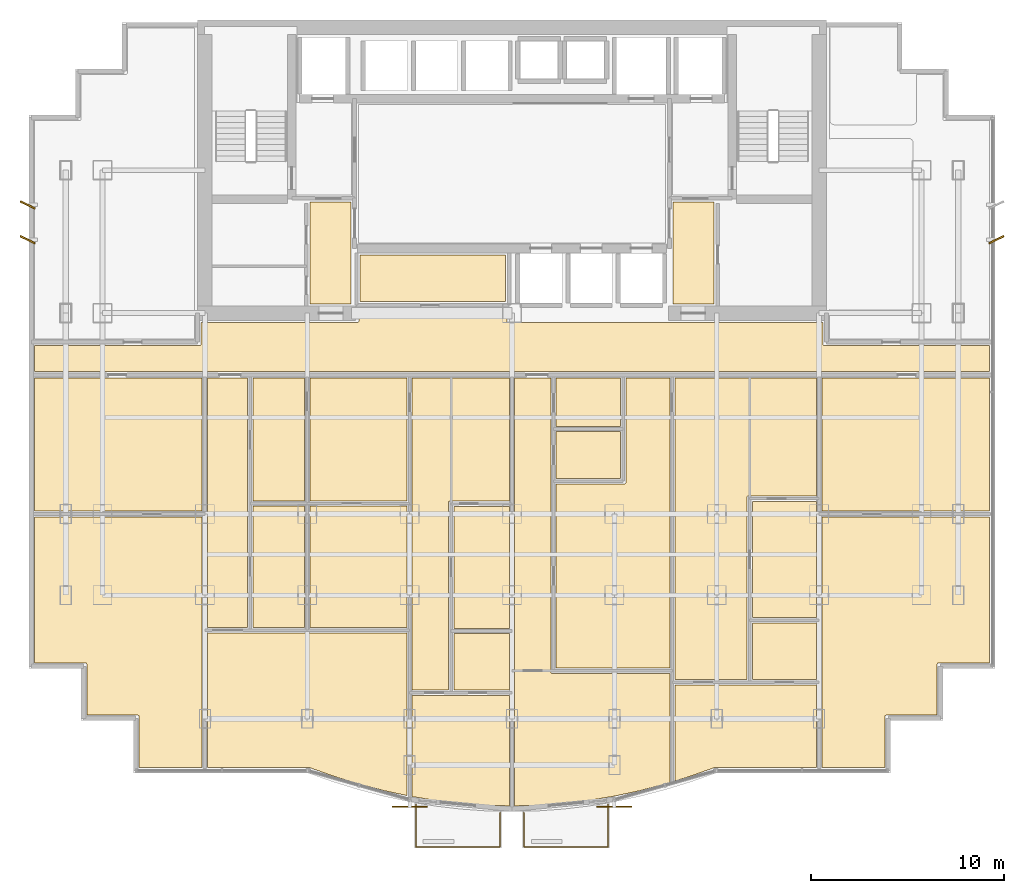
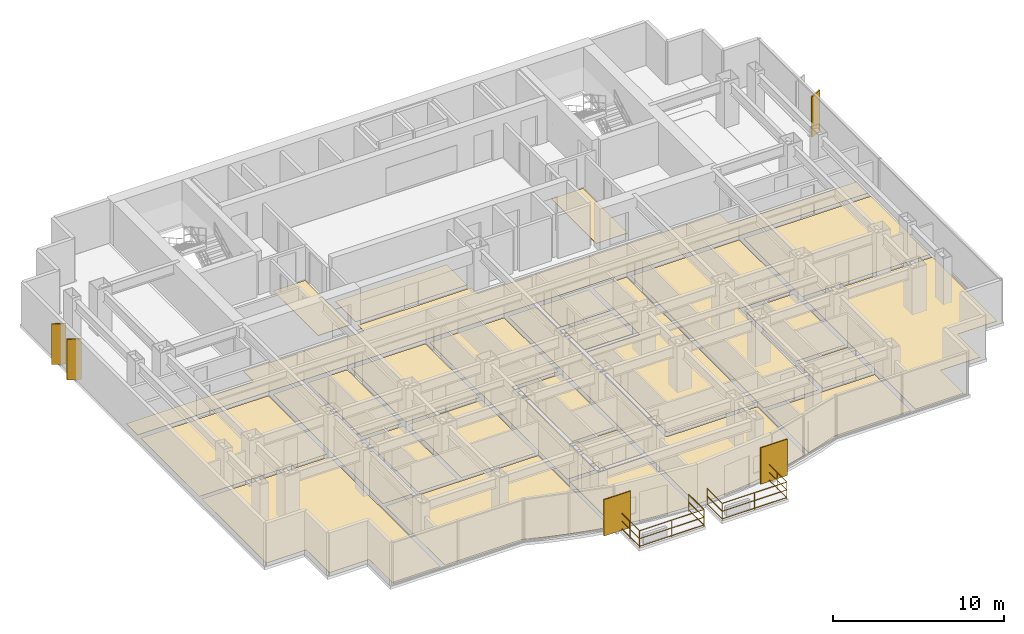
# One storey, part 11 of 12: 26 coverings, 5 shading devices, 2 railings.
"""IFC4 building model written with IfcOpenShell, lengths in metres."""

from ifc_helpers import new_model, si_unit, direction, frame, origin, origin_2d, place, context, subcontext, project, spatial, polyline, rectangle, circle, outline, extrude, source, transform, mapped, material, layer, layer_set, type_object, element, save


model = new_model("IFC4")

# Units and contexts
model_context = context("Model", 3, precision=1e-05, world=origin(), true_north=direction((0.0, 1.0)))
body_context = subcontext(model_context, "Body", "Model", "MODEL_VIEW")
ifc_project = project(units=[si_unit("LENGTHUNIT", "METRE"), si_unit("AREAUNIT", "SQUARE_METRE"), si_unit("VOLUMEUNIT", "CUBIC_METRE"), si_unit("PLANEANGLEUNIT", "RADIAN"), si_unit("MASSUNIT", "GRAM", prefix="KILO")], contexts=[model_context])

# Site, building, storey
site_placement = place(None, origin())
site = spatial("IfcSite", under=ifc_project, at=site_placement, CompositionType="ELEMENT")
building_placement = place(site_placement, origin())
building = spatial("IfcBuilding", under=site, at=building_placement, Name="Qianlan Lanfeng Residences", CompositionType="ELEMENT")
storey_placement = place(building_placement, frame((0.0, 0.0, 101.5)))
storey = spatial("IfcBuildingStorey", under=building, at=storey_placement, Name="L27", CompositionType="ELEMENT", Elevation=101.5)

# Coverings
ifc_material_1 = material(Name="Honed Taitung Granite Stone Flooring", Category="masonry")
ifc_layer_1 = layer(ifc_material_1, 0.030029296875)
ifc_layer_set_1 = layer_set([ifc_layer_1], Name="Honed Taitung Granite Stone Flooring")
covering_type_1 = type_object("IfcCoveringType", Name="FLR-STN-30", PredefinedType="FLOORING", material=ifc_layer_set_1)
covering_1_placement = place(storey_placement, origin())
element("IfcCovering", 1, at=covering_1_placement, inside=storey, type_object=covering_type_1, Name="L27 Residential Corridor Floor Finish", PredefinedType="FLOORING", context=body_context, shape_type="SweptSolid", body=[
    extrude(outline(polyline([(1.7900390625, 22.179931640625), (51.2099609375, 22.179931640625), (51.2099609375, 23.52001953125), (42.6650390625, 23.52001953125), (42.657958984375, 23.52001953125), (42.65087890625, 23.52099609375), (42.64501953125, 23.52294921875), (42.637939453125, 23.52490234375), (42.632080078125, 23.528076171875), (42.6259765625, 23.531982421875), (42.62109375, 23.535888671875), (42.615966796875, 23.541015625), (42.611083984375, 23.5458984375), (42.60693359375, 23.551025390625), (42.60302734375, 23.556884765625), (42.60009765625, 23.56298828125), (42.597900390625, 23.570068359375), (42.595947265625, 23.575927734375), (42.594970703125, 23.5830078125), (42.594970703125, 23.590087890625), (42.594970703125, 24.72509765625), (26.300048828125, 24.72509765625), (26.29296875, 24.72509765625), (26.285888671875, 24.72607421875), (26.280029296875, 24.72802734375), (26.27294921875, 24.72998046875), (26.26708984375, 24.73291015625), (26.260986328125, 24.737060546875), (26.256103515625, 24.740966796875), (26.2509765625, 24.74609375), (26.24609375, 24.7509765625), (26.241943359375, 24.756103515625), (26.238037109375, 24.761962890625), (26.235107421875, 24.76806640625), (26.23291015625, 24.77490234375), (26.23095703125, 24.781005859375), (26.22998046875, 24.7880859375), (26.22998046875, 24.794921875), (26.22998046875, 25.429931640625), (18.570068359375, 25.429931640625), (18.570068359375, 24.794921875), (18.570068359375, 24.7880859375), (18.569091796875, 24.781005859375), (18.56689453125, 24.77490234375), (18.56494140625, 24.76806640625), (18.56201171875, 24.761962890625), (18.55810546875, 24.756103515625), (18.553955078125, 24.7509765625), (18.549072265625, 24.74609375), (18.5439453125, 24.740966796875), (18.5390625, 24.737060546875), (18.532958984375, 24.73291015625), (18.527099609375, 24.72998046875), (18.52001953125, 24.72802734375), (18.513916015625, 24.72607421875), (18.507080078125, 24.72509765625), (18.5, 24.72509765625), (10.405029296875, 24.72509765625), (10.405029296875, 23.590087890625), (10.405029296875, 23.5830078125), (10.404052734375, 23.575927734375), (10.402099609375, 23.570068359375), (10.39990234375, 23.56298828125), (10.39697265625, 23.556884765625), (10.39306640625, 23.551025390625), (10.388916015625, 23.5458984375), (10.384033203125, 23.541015625), (10.37890625, 23.535888671875), (10.3740234375, 23.531982421875), (10.367919921875, 23.528076171875), (10.362060546875, 23.52490234375), (10.35498046875, 23.52294921875), (10.34912109375, 23.52099609375), (10.342041015625, 23.52001953125), (10.3349609375, 23.52001953125), (1.7900390625, 23.52001953125), (1.7900390625, 22.179931640625)])), origin(), (0.0, 0.0, 1.0), 0.030029296875),
])
covering_2_placement = place(storey_placement, origin())
element("IfcCovering", 2, at=covering_2_placement, inside=storey, type_object=covering_type_1, Name="L27 Lift Lobby Floor Finish", PredefinedType="FLOORING", context=body_context, shape_type="SweptSolid", body=[
    extrude(outline(polyline([(16.030029296875, 25.68505859375), (18.169921875, 25.68505859375), (18.169921875, 30.949951171875), (16.030029296875, 30.949951171875), (16.030029296875, 25.68505859375)])), origin(), (0.0, 0.0, 1.0), 0.030029296875),
])
covering_3_placement = place(storey_placement, origin())
element("IfcCovering", 3, at=covering_3_placement, inside=storey, type_object=covering_type_1, Name="L27 Lift Lobby Floor Finish", PredefinedType="FLOORING", context=body_context, shape_type="SweptSolid", body=[
    extrude(outline(polyline([(34.830078125, 25.68505859375), (36.969970703125, 25.68505859375), (36.969970703125, 30.949951171875), (34.830078125, 30.949951171875), (34.830078125, 25.68505859375)])), origin(), (0.0, 0.0, 1.0), 0.030029296875),
])
ifc_material_2 = material(Name="Slip-Resistant Porcelain Tile Flooring")
ifc_layer_2 = layer(ifc_material_2, 0.02001953125)
ifc_layer_set_2 = layer_set([ifc_layer_2], Name="Slip-Resistant Porcelain Tile Flooring")
covering_type_2 = type_object("IfcCoveringType", Name="FLR-TIL-20", PredefinedType="FLOORING", material=ifc_layer_set_2)
covering_4_placement = place(storey_placement, origin())
element("IfcCovering", 4, at=covering_4_placement, inside=storey, type_object=covering_type_2, Name="L27 Kitchen Floor Finish", PredefinedType="FLOORING", context=body_context, shape_type="SweptSolid", body=[
    extrude(outline(polyline([(13.090087890625, 8.929931640625), (15.760009765625, 8.929931640625), (15.760009765625, 15.205078125), (13.090087890625, 15.205078125), (13.090087890625, 8.929931640625)])), origin(), (0.0, 0.0, 1.0), 0.02001953125),
])
covering_5_placement = place(storey_placement, origin())
element("IfcCovering", 5, at=covering_5_placement, inside=storey, type_object=covering_type_2, Name="L27 Bathroom Floor Finish", PredefinedType="FLOORING", context=body_context, shape_type="SweptSolid", body=[
    extrude(outline(polyline([(13.090087890625, 15.485107421875), (15.760009765625, 15.485107421875), (15.760009765625, 21.830078125), (13.090087890625, 21.830078125), (13.090087890625, 15.485107421875)])), origin(), (0.0, 0.0, 1.0), 0.02001953125),
])
covering_6_placement = place(storey_placement, origin())
element("IfcCovering", 6, at=covering_6_placement, inside=storey, type_object=covering_type_2, Name="L27 En-Suite Bathroom Floor Finish", PredefinedType="FLOORING", context=body_context, shape_type="SweptSolid", body=[
    extrude(outline(polyline([(23.489990234375, 5.68701171875), (26.3701171875, 5.68701171875), (26.3701171875, 8.60693359375), (23.489990234375, 8.60693359375), (23.489990234375, 5.68701171875)])), origin(), (0.0, 0.0, 1.0), 0.02001953125),
])
covering_7_placement = place(storey_placement, origin())
element("IfcCovering", 7, at=covering_7_placement, inside=storey, type_object=covering_type_2, Name="L27 Kitchen Floor Finish", PredefinedType="FLOORING", context=body_context, shape_type="SweptSolid", body=[
    extrude(outline(polyline([(28.7900390625, 16.639892578125), (32.110107421875, 16.639892578125), (32.110107421875, 19.06005859375), (28.7900390625, 19.06005859375), (28.7900390625, 16.639892578125)])), origin(), (0.0, 0.0, 1.0), 0.02001953125),
])
covering_8_placement = place(storey_placement, origin())
element("IfcCovering", 8, at=covering_8_placement, inside=storey, type_object=covering_type_2, Name="L27 Bathroom Floor Finish", PredefinedType="FLOORING", context=body_context, shape_type="SweptSolid", body=[
    extrude(outline(polyline([(28.7900390625, 19.340087890625), (32.110107421875, 19.340087890625), (32.110107421875, 21.830078125), (28.7900390625, 21.830078125), (28.7900390625, 19.340087890625)])), origin(), (0.0, 0.0, 1.0), 0.02001953125),
])
covering_9_placement = place(storey_placement, origin())
element("IfcCovering", 9, at=covering_9_placement, inside=storey, type_object=covering_type_2, Name="L27 En-Suite Bathroom Floor Finish", PredefinedType="FLOORING", context=body_context, shape_type="SweptSolid", body=[
    extrude(outline(polyline([(38.93994140625, 6.23388671875), (42.27001953125, 6.23388671875), (42.27001953125, 9.154052734375), (38.93994140625, 9.154052734375), (38.93994140625, 6.23388671875)])), origin(), (0.0, 0.0, 1.0), 0.02001953125),
])
ifc_material_3 = material(Name="Engineered Smoked Oak Timber Flooring", Category="wood")
ifc_layer_3 = layer(ifc_material_3, 0.02197265625)
ifc_layer_set_3 = layer_set([ifc_layer_3], Name="Engineered Smoked Oak Timber Flooring")
covering_type_3 = type_object("IfcCoveringType", Name="FLR-TIM-22", PredefinedType="FLOORING", material=ifc_layer_set_3)
covering_10_placement = place(storey_placement, origin())
element("IfcCovering", 10, at=covering_10_placement, inside=storey, type_object=covering_type_3, Name="L27 Gallery Salon Floor Finish", PredefinedType="FLOORING", context=body_context, shape_type="SweptSolid", body=[
    extrude(outline(polyline([(18.6298828125, 25.800048828125), (26.169921875, 25.800048828125), (26.169921875, 28.205078125), (18.6298828125, 28.205078125), (18.6298828125, 25.800048828125)])), origin(), (0.0, 0.0, 1.0), 0.02197265625),
])
covering_11_placement = place(storey_placement, origin())
element("IfcCovering", 11, at=covering_11_placement, inside=storey, type_object=covering_type_3, Name="L27 Living and Dining Room Floor Finish", PredefinedType="FLOORING", context=body_context, shape_type="SweptSolid", body=[
    extrude(outline(polyline([(10.72998046875, 8.64990234375), (10.72998046875, 1.68994140625), (15.9580078125, 1.68994140625), (15.966064453125, 1.68994140625), (15.97412109375, 1.68798828125), (15.98095703125, 1.68603515625), (17.3330078125, 1.2060546875), (18.64404296875, 0.803955078125), (19.9541015625, 0.462890625), (21.070068359375, 0.22607421875), (21.070068359375, 8.64990234375), (10.72998046875, 8.64990234375)])), origin(), (0.0, 0.0, 1.0), 0.02197265625),
])
covering_12_placement = place(storey_placement, origin())
element("IfcCovering", 12, at=covering_12_placement, inside=storey, type_object=covering_type_3, Name="L27 Family Sitting Room Floor Finish", PredefinedType="FLOORING", context=body_context, shape_type="SweptSolid", body=[
    extrude(outline(polyline([(10.72998046875, 8.929931640625), (12.81005859375, 8.929931640625), (12.81005859375, 21.830078125), (10.72998046875, 21.830078125), (10.72998046875, 8.929931640625)])), origin(), (0.0, 0.0, 1.0), 0.02197265625),
])
covering_13_placement = place(storey_placement, origin())
element("IfcCovering", 13, at=covering_13_placement, inside=storey, type_object=covering_type_3, Name="L27 Aerobics Studio Floor Finish", PredefinedType="FLOORING", context=body_context, shape_type="SweptSolid", body=[
    extrude(outline(polyline([(16.0400390625, 8.929931640625), (21.06005859375, 8.929931640625), (21.06005859375, 15.205078125), (16.0400390625, 15.205078125), (16.0400390625, 8.929931640625)])), origin(), (0.0, 0.0, 1.0), 0.02197265625),
])
covering_14_placement = place(storey_placement, origin())
element("IfcCovering", 14, at=covering_14_placement, inside=storey, type_object=covering_type_3, Name="L27 Club Reading Salon Floor Finish", PredefinedType="FLOORING", context=body_context, shape_type="SweptSolid", body=[
    extrude(outline(polyline([(16.0400390625, 15.485107421875), (21.06005859375, 15.485107421875), (21.06005859375, 21.830078125), (16.0400390625, 21.830078125), (16.0400390625, 15.485107421875)])), origin(), (0.0, 0.0, 1.0), 0.02197265625),
])
covering_15_placement = place(storey_placement, origin())
element("IfcCovering", 15, at=covering_15_placement, inside=storey, type_object=covering_type_3, Name="L27 Private Study Floor Finish", PredefinedType="FLOORING", context=body_context, shape_type="SweptSolid", body=[
    extrude(outline(polyline([(23.489990234375, 8.886962890625), (26.3701171875, 8.886962890625), (26.3701171875, 15.18310546875), (23.489990234375, 15.18310546875), (23.489990234375, 8.886962890625)])), origin(), (0.0, 0.0, 1.0), 0.02197265625),
])
covering_16_placement = place(storey_placement, origin())
element("IfcCovering", 16, at=covering_16_placement, inside=storey, type_object=covering_type_3, Name="L27 Villa Family Sitting Room Floor Finish", PredefinedType="FLOORING", context=body_context, shape_type="SweptSolid", body=[
    extrude(outline(polyline([(21.330078125, 5.68701171875), (23.2099609375, 5.68701171875), (23.2099609375, 15.39306640625), (23.2099609375, 15.39990234375), (23.2109375, 15.406982421875), (23.212890625, 15.4130859375), (23.215087890625, 15.419921875), (23.218017578125, 15.426025390625), (23.221923828125, 15.431884765625), (23.22607421875, 15.43701171875), (23.23095703125, 15.44189453125), (23.236083984375, 15.447021484375), (23.240966796875, 15.450927734375), (23.2470703125, 15.455078125), (23.2529296875, 15.4580078125), (23.260009765625, 15.4599609375), (23.26611328125, 15.4619140625), (23.27294921875, 15.462890625), (23.280029296875, 15.462890625), (26.3701171875, 15.462890625), (26.3701171875, 21.830078125), (21.330078125, 21.830078125), (21.330078125, 5.68701171875)])), origin(), (0.0, 0.0, 1.0), 0.02197265625),
])
covering_17_placement = place(storey_placement, origin())
element("IfcCovering", 17, at=covering_17_placement, inside=storey, type_object=covering_type_3, Name="L27 Master Bedroom Floor Finish", PredefinedType="FLOORING", context=body_context, shape_type="SweptSolid", body=[
    extrude(outline(polyline([(21.330078125, 5.406982421875), (21.330078125, 0.174072265625), (22.572998046875, -0.031982421875), (23.882080078125, -0.18603515625), (25.19091796875, -0.279052734375), (26.3701171875, -0.306884765625), (26.3701171875, 5.406982421875), (21.330078125, 5.406982421875)])), origin(), (0.0, 0.0, 1.0), 0.02197265625),
])
covering_18_placement = place(storey_placement, origin())
element("IfcCovering", 18, at=covering_18_placement, inside=storey, type_object=covering_type_3, Name="L27 Living and Dining Room Floor Finish", PredefinedType="FLOORING", context=body_context, shape_type="SweptSolid", body=[
    extrude(outline(polyline([(34.669921875, 0.89990234375), (34.669921875, 6.541015625), (28.580078125, 6.541015625), (28.572998046875, 6.541015625), (28.56591796875, 6.5419921875), (28.56005859375, 6.5439453125), (28.552978515625, 6.5458984375), (28.547119140625, 6.549072265625), (28.541015625, 6.552978515625), (28.535888671875, 6.556884765625), (28.531005859375, 6.56201171875), (28.52587890625, 6.56689453125), (28.52197265625, 6.572021484375), (28.51806640625, 6.577880859375), (28.514892578125, 6.583984375), (28.512939453125, 6.591064453125), (28.510986328125, 6.596923828125), (28.510009765625, 6.60400390625), (28.510009765625, 6.611083984375), (28.510009765625, 21.830078125), (26.6298828125, 21.830078125), (26.6298828125, -0.306884765625), (27.80810546875, -0.279052734375), (29.117919921875, -0.18603515625), (30.426025390625, -0.031982421875), (31.736083984375, 0.18505859375), (33.044921875, 0.462890625), (34.35595703125, 0.803955078125), (34.669921875, 0.89990234375)])), origin(), (0.0, 0.0, 1.0), 0.02197265625),
])
covering_19_placement = place(storey_placement, origin())
element("IfcCovering", 19, at=covering_19_placement, inside=storey, type_object=covering_type_3, Name="L27 Villa Family Sitting Room Floor Finish", PredefinedType="FLOORING", context=body_context, shape_type="SweptSolid", body=[
    extrude(outline(polyline([(28.7900390625, 6.821044921875), (34.669921875, 6.821044921875), (34.669921875, 21.830078125), (32.389892578125, 21.830078125), (32.389892578125, 16.429931640625), (32.389892578125, 16.423095703125), (32.388916015625, 16.416015625), (32.386962890625, 16.409912109375), (32.385009765625, 16.403076171875), (32.382080078125, 16.39697265625), (32.3779296875, 16.39111328125), (32.3740234375, 16.385986328125), (32.368896484375, 16.381103515625), (32.364013671875, 16.3759765625), (32.35888671875, 16.3720703125), (32.35302734375, 16.367919921875), (32.346923828125, 16.364990234375), (32.340087890625, 16.363037109375), (32.333984375, 16.361083984375), (32.326904296875, 16.360107421875), (32.320068359375, 16.360107421875), (28.7900390625, 16.360107421875), (28.7900390625, 6.821044921875)])), origin(), (0.0, 0.0, 1.0), 0.02197265625),
])
covering_20_placement = place(storey_placement, origin())
element("IfcCovering", 20, at=covering_20_placement, inside=storey, type_object=covering_type_3, Name="L27 Private Study Floor Finish", PredefinedType="FLOORING", context=body_context, shape_type="SweptSolid", body=[
    extrude(outline(polyline([(38.93994140625, 9.43408203125), (42.27001953125, 9.43408203125), (42.27001953125, 15.45703125), (38.93994140625, 15.45703125), (38.93994140625, 9.43408203125)])), origin(), (0.0, 0.0, 1.0), 0.02197265625),
])
covering_21_placement = place(storey_placement, origin())
element("IfcCovering", 21, at=covering_21_placement, inside=storey, type_object=covering_type_3, Name="L27 Villa Family Sitting Room Floor Finish", PredefinedType="FLOORING", context=body_context, shape_type="SweptSolid", body=[
    extrude(outline(polyline([(34.929931640625, 6.23388671875), (38.659912109375, 6.23388671875), (38.659912109375, 15.6669921875), (38.659912109375, 15.674072265625), (38.660888671875, 15.680908203125), (38.6630859375, 15.68701171875), (38.6650390625, 15.694091796875), (38.66796875, 15.699951171875), (38.672119140625, 15.7060546875), (38.676025390625, 15.7109375), (38.680908203125, 15.716064453125), (38.68603515625, 15.720947265625), (38.69091796875, 15.72509765625), (38.697021484375, 15.72900390625), (38.702880859375, 15.73193359375), (38.7099609375, 15.73388671875), (38.716064453125, 15.736083984375), (38.722900390625, 15.737060546875), (38.72998046875, 15.737060546875), (42.27001953125, 15.737060546875), (42.27001953125, 21.830078125), (34.929931640625, 21.830078125), (34.929931640625, 6.23388671875)])), origin(), (0.0, 0.0, 1.0), 0.02197265625),
])
covering_22_placement = place(storey_placement, origin())
element("IfcCovering", 22, at=covering_22_placement, inside=storey, type_object=covering_type_3, Name="L27 Master Bedroom Floor Finish", PredefinedType="FLOORING", context=body_context, shape_type="SweptSolid", body=[
    extrude(outline(polyline([(34.929931640625, 5.9541015625), (34.929931640625, 0.97998046875), (35.6669921875, 1.2060546875), (37.01904296875, 1.68603515625), (37.02587890625, 1.68798828125), (37.033935546875, 1.68994140625), (37.0419921875, 1.68994140625), (42.27001953125, 1.68994140625), (42.27001953125, 5.9541015625), (34.929931640625, 5.9541015625)])), origin(), (0.0, 0.0, 1.0), 0.02197265625),
])
covering_23_placement = place(storey_placement, origin())
element("IfcCovering", 23, at=covering_23_placement, inside=storey, type_object=covering_type_3, Name="L27 Sunroom Floor Finish", PredefinedType="FLOORING", context=body_context, shape_type="SweptSolid", body=[
    extrude(outline(polyline([(10.43994140625, 14.64990234375), (1.7900390625, 14.64990234375), (1.7900390625, 7.090087890625), (4.419921875, 7.090087890625), (4.427001953125, 7.090087890625), (4.43408203125, 7.089111328125), (4.43994140625, 7.0869140625), (4.447021484375, 7.0849609375), (4.452880859375, 7.08203125), (4.458984375, 7.077880859375), (4.464111328125, 7.073974609375), (4.468994140625, 7.069091796875), (4.47412109375, 7.06396484375), (4.47802734375, 7.05908203125), (4.48193359375, 7.052978515625), (4.485107421875, 7.047119140625), (4.487060546875, 7.0400390625), (4.489013671875, 7.033935546875), (4.489990234375, 7.027099609375), (4.489990234375, 7.02001953125), (4.489990234375, 4.389892578125), (7.1201171875, 4.389892578125), (7.126953125, 4.389892578125), (7.134033203125, 4.388916015625), (7.139892578125, 4.386962890625), (7.14697265625, 4.385009765625), (7.153076171875, 4.382080078125), (7.158935546875, 4.3779296875), (7.1640625, 4.3740234375), (7.1689453125, 4.368896484375), (7.174072265625, 4.364013671875), (7.177978515625, 4.35888671875), (7.181884765625, 4.35302734375), (7.18505859375, 4.346923828125), (7.18701171875, 4.340087890625), (7.18896484375, 4.333984375), (7.18994140625, 4.326904296875), (7.18994140625, 4.320068359375), (7.18994140625, 1.68994140625), (10.43994140625, 1.68994140625), (10.43994140625, 14.64990234375)])), origin(), (0.0, 0.0, 1.0), 0.02197265625),
])
covering_24_placement = place(storey_placement, origin())
element("IfcCovering", 24, at=covering_24_placement, inside=storey, type_object=covering_type_3, Name="L27 Family Sitting Room Floor Finish", PredefinedType="FLOORING", context=body_context, shape_type="SweptSolid", body=[
    extrude(outline(polyline([(10.43994140625, 21.830078125), (1.7900390625, 21.830078125), (1.7900390625, 14.949951171875), (10.43994140625, 14.949951171875), (10.43994140625, 21.830078125)])), origin(), (0.0, 0.0, 1.0), 0.02197265625),
])
covering_25_placement = place(storey_placement, origin())
element("IfcCovering", 25, at=covering_25_placement, inside=storey, type_object=covering_type_3, Name="L27 Sunroom Floor Finish", PredefinedType="FLOORING", context=body_context, shape_type="SweptSolid", body=[
    extrude(outline(polyline([(51.2099609375, 14.64990234375), (42.56005859375, 14.64990234375), (42.56005859375, 1.68994140625), (45.81005859375, 1.68994140625), (45.81005859375, 4.320068359375), (45.81005859375, 4.326904296875), (45.81103515625, 4.333984375), (45.81298828125, 4.340087890625), (45.81494140625, 4.346923828125), (45.818115234375, 4.35302734375), (45.822021484375, 4.35888671875), (45.825927734375, 4.364013671875), (45.8310546875, 4.368896484375), (45.8359375, 4.3740234375), (45.841064453125, 4.3779296875), (45.846923828125, 4.382080078125), (45.85302734375, 4.385009765625), (45.860107421875, 4.386962890625), (45.865966796875, 4.388916015625), (45.873046875, 4.389892578125), (45.8798828125, 4.389892578125), (48.510009765625, 4.389892578125), (48.510009765625, 7.02001953125), (48.510009765625, 7.027099609375), (48.510986328125, 7.033935546875), (48.512939453125, 7.0400390625), (48.514892578125, 7.047119140625), (48.51806640625, 7.052978515625), (48.52197265625, 7.05908203125), (48.52587890625, 7.06396484375), (48.531005859375, 7.069091796875), (48.535888671875, 7.073974609375), (48.541015625, 7.077880859375), (48.547119140625, 7.08203125), (48.552978515625, 7.0849609375), (48.56005859375, 7.0869140625), (48.56591796875, 7.089111328125), (48.572998046875, 7.090087890625), (48.580078125, 7.090087890625), (51.2099609375, 7.090087890625), (51.2099609375, 14.64990234375)])), origin(), (0.0, 0.0, 1.0), 0.02197265625),
])
covering_26_placement = place(storey_placement, origin())
element("IfcCovering", 26, at=covering_26_placement, inside=storey, type_object=covering_type_3, Name="L27 Private Study Floor Finish", PredefinedType="FLOORING", context=body_context, shape_type="SweptSolid", body=[
    extrude(outline(polyline([(51.2099609375, 21.830078125), (42.56005859375, 21.830078125), (42.56005859375, 14.949951171875), (51.2099609375, 14.949951171875), (51.2099609375, 21.830078125)])), origin(), (0.0, 0.0, 1.0), 0.02197265625),
])

# Railings
ifc_material_4 = material(Name="Anodised Bronze Aluminium and Laminated Glass Guard Balustrade", Category="aluminium")
railing_type = type_object("IfcRailingType", Name="GR-EXT-1220", PredefinedType="BALUSTRADE", material=ifc_material_4)
railing_1_placement = place(storey_placement, frame((25.8798828125, -0.655029296875, 0.0)))
element("IfcRailing", 27, at=railing_1_placement, inside=storey, type_object=railing_type, Name="L27 Terrace Safety Guard GR-L27-SB-W", PredefinedType="BALUSTRADE", context=body_context, shape_type="SweptSolid", body=[
    extrude(circle(Radius=0.02490234375, at=origin_2d()), frame((0.0, 0.0, 0.0849609375), z_axis=(0.0, -1.0, 0.0), x_axis=(1.0, 0.0, 0.0)), (0.0, 0.0, 1.0), 1.77490234375),
    extrude(circle(Radius=0.02490234375, at=origin_2d()), frame((0.0, 0.0, 0.63427734375), z_axis=(0.0, -1.0, 0.0), x_axis=(1.0, 0.0, 0.0)), (0.0, 0.0, 1.0), 1.77490234375),
    extrude(circle(Radius=0.02490234375, at=origin_2d()), frame((0.0, 0.0, 1.19482421875), z_axis=(0.0, -1.0, 0.0), x_axis=(1.0, 0.0, 0.0)), (0.0, 0.0, 1.0), 1.77490234375),
    extrude(circle(Radius=0.02490234375, at=origin_2d()), frame((0.0, -1.77490234375, 0.0849609375), z_axis=(-1.0, 0.0, 0.0), x_axis=(0.0, -1.0, 0.0)), (0.0, 0.0, 1.0), 4.35986328125),
    extrude(circle(Radius=0.02490234375, at=origin_2d()), frame((0.0, -1.77490234375, 0.63427734375), z_axis=(-1.0, 0.0, 0.0), x_axis=(0.0, -1.0, 0.0)), (0.0, 0.0, 1.0), 4.35986328125),
    extrude(circle(Radius=0.02490234375, at=origin_2d()), frame((0.0, -1.77490234375, 1.19482421875), z_axis=(-1.0, 0.0, 0.0), x_axis=(0.0, -1.0, 0.0)), (0.0, 0.0, 1.0), 4.35986328125),
    extrude(circle(Radius=0.02490234375, at=origin_2d()), frame((-4.35986328125, -1.77490234375, 0.0849609375), z_axis=(0.0, 1.0, 0.0), x_axis=(-1.0, 0.0, 0.0)), (0.0, 0.0, 1.0), 2.20703125),
    extrude(circle(Radius=0.02490234375, at=origin_2d()), frame((-4.35986328125, -1.77490234375, 0.63427734375), z_axis=(0.0, 1.0, 0.0), x_axis=(-1.0, 0.0, 0.0)), (0.0, 0.0, 1.0), 2.20703125),
    extrude(circle(Radius=0.02490234375, at=origin_2d()), frame((-4.35986328125, -1.77490234375, 1.19482421875), z_axis=(0.0, 1.0, 0.0), x_axis=(-1.0, 0.0, 0.0)), (0.0, 0.0, 1.0), 2.20703125),
    extrude(circle(Radius=0.02099609375, at=origin_2d()), origin(), (0.0, 0.0, 1.0), 1.169921875),
    extrude(circle(Radius=0.02099609375, at=origin_2d()), frame((0.0, -1.77490234375, 0.0)), (0.0, 0.0, 1.0), 1.169921875),
    extrude(circle(Radius=0.02099609375, at=origin_2d()), frame((-2.179931640625, -1.77490234375, 0.0)), (0.0, 0.0, 1.0), 1.169921875),
    extrude(circle(Radius=0.02099609375, at=origin_2d()), frame((-4.35986328125, -1.77490234375, 0.0)), (0.0, 0.0, 1.0), 1.169921875),
    extrude(circle(Radius=0.02099609375, at=origin_2d()), frame((-4.35986328125, -0.67138671875, 0.0)), (0.0, 0.0, 1.0), 1.169921875),
    extrude(circle(Radius=0.02099609375, at=origin_2d()), frame((-4.35986328125, 0.43212890625, 0.0)), (0.0, 0.0, 1.0), 1.169921875),
])
railing_2_placement = place(storey_placement, frame((31.47998046875, -0.222900390625, 0.0)))
element("IfcRailing", 28, at=railing_2_placement, inside=storey, type_object=railing_type, Name="L27 Terrace Safety Guard GR-L27-SB-E", PredefinedType="BALUSTRADE", context=body_context, shape_type="SweptSolid", body=[
    extrude(circle(Radius=0.02490234375, at=origin_2d()), frame((0.0, 0.0, 0.0849609375), z_axis=(0.0, -1.0, 0.0), x_axis=(1.0, 0.0, 0.0)), (0.0, 0.0, 1.0), 2.20703125),
    extrude(circle(Radius=0.02490234375, at=origin_2d()), frame((0.0, 0.0, 0.63427734375), z_axis=(0.0, -1.0, 0.0), x_axis=(1.0, 0.0, 0.0)), (0.0, 0.0, 1.0), 2.20703125),
    extrude(circle(Radius=0.02490234375, at=origin_2d()), frame((0.0, 0.0, 1.19482421875), z_axis=(0.0, -1.0, 0.0), x_axis=(1.0, 0.0, 0.0)), (0.0, 0.0, 1.0), 2.20703125),
    extrude(circle(Radius=0.02490234375, at=origin_2d()), frame((0.0, -2.20703125, 0.0849609375), z_axis=(-1.0, 0.0, 0.0), x_axis=(0.0, -1.0, 0.0)), (0.0, 0.0, 1.0), 4.35986328125),
    extrude(circle(Radius=0.02490234375, at=origin_2d()), frame((0.0, -2.20703125, 0.63427734375), z_axis=(-1.0, 0.0, 0.0), x_axis=(0.0, -1.0, 0.0)), (0.0, 0.0, 1.0), 4.35986328125),
    extrude(circle(Radius=0.02490234375, at=origin_2d()), frame((0.0, -2.20703125, 1.19482421875), z_axis=(-1.0, 0.0, 0.0), x_axis=(0.0, -1.0, 0.0)), (0.0, 0.0, 1.0), 4.35986328125),
    extrude(circle(Radius=0.02490234375, at=origin_2d()), frame((-4.35986328125, -2.20703125, 0.0849609375), z_axis=(0.0, 1.0, 0.0), x_axis=(-1.0, 0.0, 0.0)), (0.0, 0.0, 1.0), 1.77490234375),
    extrude(circle(Radius=0.02490234375, at=origin_2d()), frame((-4.35986328125, -2.20703125, 0.63427734375), z_axis=(0.0, 1.0, 0.0), x_axis=(-1.0, 0.0, 0.0)), (0.0, 0.0, 1.0), 1.77490234375),
    extrude(circle(Radius=0.02490234375, at=origin_2d()), frame((-4.35986328125, -2.20703125, 1.19482421875), z_axis=(0.0, 1.0, 0.0), x_axis=(-1.0, 0.0, 0.0)), (0.0, 0.0, 1.0), 1.77490234375),
    extrude(circle(Radius=0.02099609375, at=origin_2d()), origin(), (0.0, 0.0, 1.0), 1.169921875),
    extrude(circle(Radius=0.02099609375, at=origin_2d()), frame((0.0, -1.103515625, 0.0)), (0.0, 0.0, 1.0), 1.169921875),
    extrude(circle(Radius=0.02099609375, at=origin_2d()), frame((0.0, -2.20703125, 0.0)), (0.0, 0.0, 1.0), 1.169921875),
    extrude(circle(Radius=0.02099609375, at=origin_2d()), frame((-2.179931640625, -2.20703125, 0.0)), (0.0, 0.0, 1.0), 1.169921875),
    extrude(circle(Radius=0.02099609375, at=origin_2d()), frame((-4.35986328125, -2.20703125, 0.0)), (0.0, 0.0, 1.0), 1.169921875),
    extrude(circle(Radius=0.02099609375, at=origin_2d()), frame((-4.35986328125, -0.43212890625, 0.0)), (0.0, 0.0, 1.0), 1.169921875),
])

# Shading devices
ifc_material_5 = material(Name="Perforated Bronze Aluminium Solar Screen", Category="aluminium")
shading_device_type_1 = type_object("IfcShadingDeviceType", Name="SCR-BRZ-1800", PredefinedType="JALOUSIE", material=ifc_material_5)
shared_shape_1 = source(origin(), body_context, "Body", "SweptSolid", [
    extrude(rectangle(XDim=1.800048828125, YDim=0.06005859375, at=origin_2d()), origin(), (0.0, 0.0, 1.0), 2.60009765625),
])
for number, where, z_axis, x_axis, name in (
    (29, (21.199951171875, -0.360107421875, 0.0), (0.0, 0.0, 1.0), (1.0, 0.0, 0.0), "L27 Perforated Bronze Solar Screen 1"),
    (30, (31.800048828125, -0.360107421875, 0.0), (0.0, 0.0, 1.0), (1.0, 0.0, 0.0), "L27 Perforated Bronze Solar Screen 2"),
):
    element("IfcShadingDevice", number, at=place(storey_placement, frame(where, z_axis=z_axis, x_axis=x_axis)), inside=storey, type_object=shading_device_type_1, Name=name, PredefinedType="JALOUSIE", context=body_context, shape_type="MappedRepresentation", body=[
        mapped(shared_shape_1, transform((0.0, 0.0, 0.0), scale=1.0)),
    ])
ifc_material_6 = material(Name="Anodised Bronze Aluminium Solar Fin", Category="aluminium")
shading_device_type_2 = type_object("IfcShadingDeviceType", Name="FIN-BRZ-850", PredefinedType="SHUTTER", material=ifc_material_6)
shared_shape_2 = source(origin(), body_context, "Body", "SweptSolid", [
    extrude(rectangle(XDim=0.85009765625, YDim=0.080078125, at=origin_2d()), origin(), (0.0, 0.0, 1.0), 2.89990234375),
])
for number, where, z_axis, x_axis, name in (
    (31, (1.429931640625, 29.0, 0.0), (0.0, 0.0, 1.0), (0.898794046299, -0.438371146789, 0.0), "L27 Raked Bronze Solar Fin W1"),
    (32, (1.429931640625, 30.800048828125, 0.0), (0.0, 0.0, 1.0), (0.898794046299, -0.438371146789, 0.0), "L27 Raked Bronze Solar Fin W2"),
    (33, (51.570068359375, 29.0, 0.0), (0.0, 0.0, 1.0), (0.898794046299, 0.438371146789, 0.0), "L27 Raked Bronze Solar Fin E1"),
):
    element("IfcShadingDevice", number, at=place(storey_placement, frame(where, z_axis=z_axis, x_axis=x_axis)), inside=storey, type_object=shading_device_type_2, Name=name, PredefinedType="SHUTTER", context=body_context, shape_type="MappedRepresentation", body=[
        mapped(shared_shape_2, transform((0.0, 0.0, 0.0), scale=1.0)),
    ])

save(model, "model.ifc")
